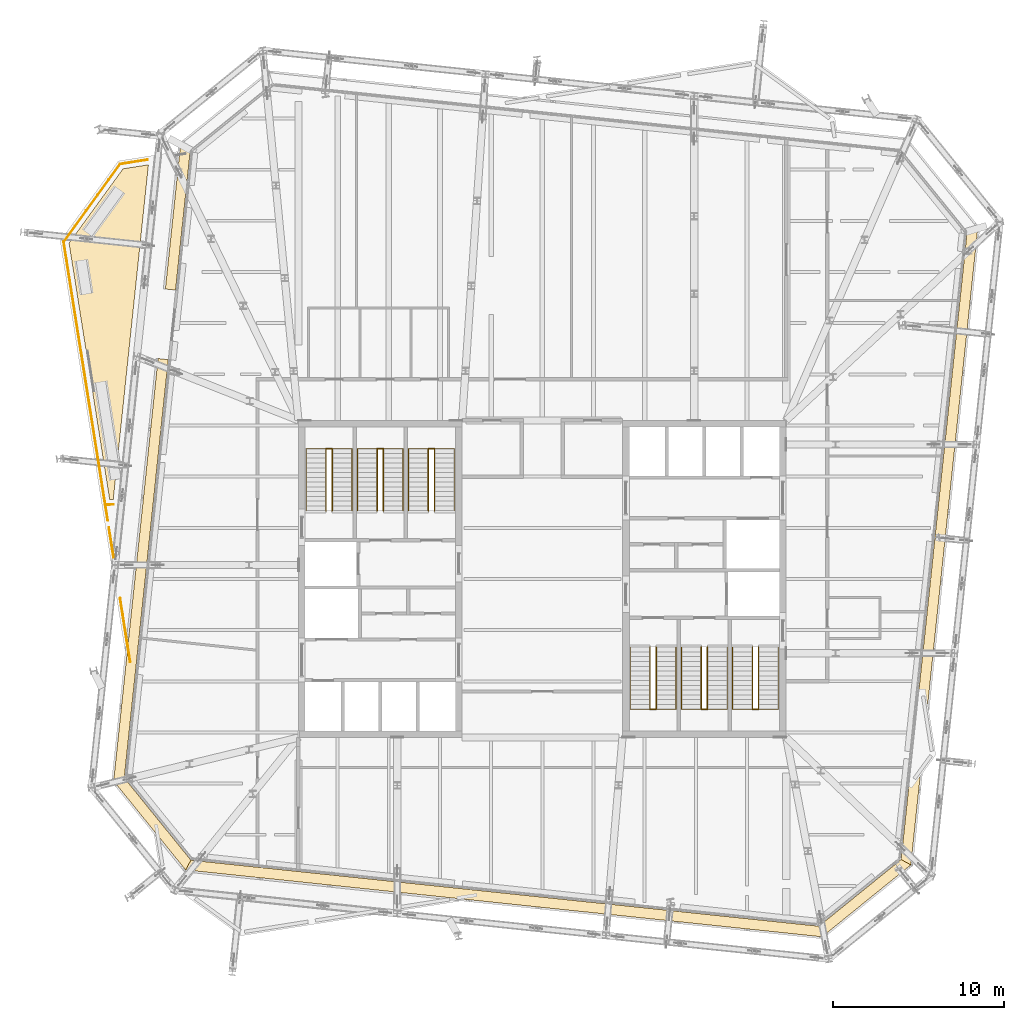
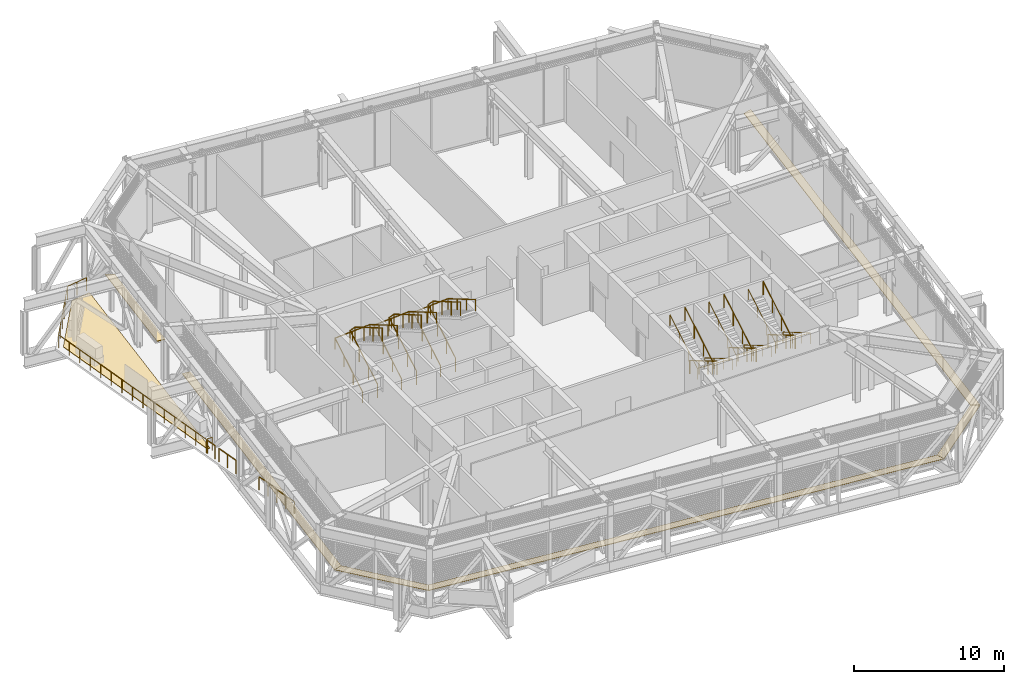
# One storey, part 34 of 36: 16 railings, 7 coverings.
"""IFC4 building model written with IfcOpenShell, lengths in metres."""

import ifcopenshell
import ifcopenshell.guid

model = None  # the IFC model being written
_history = None  # IfcOwnerHistory: only IFC2X3 demands one
_inside = {}  # id of a spatial element -> (the spatial element, [elements in it])
_under = {}  # id of a project, library or spatial element -> (it, [spatial elements below it])
_declared = {}  # id of a project -> (the project, [libraries it declares])
_typed = {}  # id of a type object -> (the type object, [elements of that type])
_made_of = {}  # id of a material, layer set ... -> (it, [elements and type objects made of it])


def new_model(schema):
    """Start an empty IFC model of exactly this schema.

    Asked for "IFC4X3", IfcOpenShell would pick the latest addendum, in which some entities
    have other attributes; the version numbers below select the first issue.
    IFC2X3 requires an IfcOwnerHistory on every rooted entity: one is made here for all.
    """
    global model, _history
    if schema == "IFC4X3":
        model = ifcopenshell.file(schema_version=(4, 3, 0, 0))
    else:
        model = ifcopenshell.file(schema=schema)
    _inside.clear()
    _under.clear()
    _declared.clear()
    _typed.clear()
    _made_of.clear()
    _history = None
    if model.schema == "IFC2X3":
        org = make("IfcOrganization", Name="unknown")
        user = make(
            "IfcPersonAndOrganization",
            ThePerson=make("IfcPerson", FamilyName="unknown"),
            TheOrganization=org,
        )
        app = make(
            "IfcApplication",
            ApplicationDeveloper=org,
            Version="unknown",
            ApplicationFullName="unknown",
            ApplicationIdentifier="unknown",
        )
        _history = make(
            "IfcOwnerHistory",
            OwningUser=user,
            OwningApplication=app,
            ChangeAction="ADDED",
            CreationDate=0,
        )
    return model


def make(cls, **values):
    """One entity of the class cls with the attributes given. An attribute that is None is left unset."""
    return model.create_entity(
        cls, **{name: value for name, value in values.items() if value is not None}
    )


def rooted(cls, **values):
    """An entity with a GlobalId (a new one), such as an element, a storey or a relation."""
    return make(cls, GlobalId=ifcopenshell.guid.new(), OwnerHistory=_history, **values)


def si_unit(unit_type, name, prefix=None):
    """IfcSIUnit, for example si_unit("LENGTHUNIT", "METRE", prefix="MILLI")."""
    return make("IfcSIUnit", UnitType=unit_type, Prefix=prefix, Name=name)


def assignment(units):
    """IfcUnitAssignment: the units of a project."""
    return None if units is None else make("IfcUnitAssignment", Units=units)


def point(xyz):
    """IfcCartesianPoint."""
    return None if xyz is None else make("IfcCartesianPoint", Coordinates=xyz)


def direction(xyz):
    """IfcDirection."""
    return None if xyz is None else make("IfcDirection", DirectionRatios=xyz)


def frame(location, z_axis=None, x_axis=None):
    """IfcAxis2Placement3D, a coordinate frame: its origin and axes. An axis left out is left unset."""
    return make(
        "IfcAxis2Placement3D",
        Location=point(location),
        Axis=direction(z_axis),
        RefDirection=direction(x_axis),
    )


def frame_2d(location, x_axis=None):
    """IfcAxis2Placement2D, a coordinate frame in the plane: its origin and x axis."""
    return make(
        "IfcAxis2Placement2D", Location=point(location), RefDirection=direction(x_axis)
    )


def origin():
    """The frame at (0, 0, 0) with its axes left unset."""
    return frame((0.0, 0.0, 0.0))


def origin_2d():
    """The frame at (0, 0) in the plane with its x axis left unset."""
    return frame_2d((0.0, 0.0))


def place(relative_to, where):
    """IfcLocalPlacement: puts the frame where relative to a parent placement (None: the world)."""
    return make(
        "IfcLocalPlacement", PlacementRelTo=relative_to, RelativePlacement=where
    )


def context(
    kind, dimensions, precision=None, world=None, true_north=None, identifier=None
):
    """IfcGeometricRepresentationContext, for example the 3D "Model" context."""
    return make(
        "IfcGeometricRepresentationContext",
        ContextIdentifier=identifier,
        ContextType=kind,
        CoordinateSpaceDimension=dimensions,
        Precision=precision,
        WorldCoordinateSystem=world,
        TrueNorth=true_north,
    )


def subcontext(parent, identifier, kind, view, scale=None):
    """IfcGeometricRepresentationSubContext, for example "Body" below "Model"."""
    return make(
        "IfcGeometricRepresentationSubContext",
        ContextIdentifier=identifier,
        ContextType=kind,
        ParentContext=parent,
        TargetScale=scale,
        TargetView=view,
    )


def project(units=None, contexts=None):
    """IfcProject with its units and contexts."""
    return rooted(
        "IfcProject",
        Name="project",
        RepresentationContexts=contexts,
        UnitsInContext=assignment(units),
    )


def spatial(cls, under=None, at=None, **own):
    """A site, building, storey or space (cls), placed at a placement, below another one or the project."""
    s = rooted(cls, ObjectPlacement=at, **own)
    if under is not None:
        _under.setdefault(under.id(), (under, []))[1].append(s)
    return s


def polyline(points):
    """IfcPolyline through the points."""
    return make("IfcPolyline", Points=[point(p) for p in points])


def profile(cls, at=None, kind="AREA", **sizes):
    """A parametric profile (cls). Its sizes go by their IFC names, for example OverallWidth=200.0."""
    return make(cls, ProfileType=kind, Position=at, **sizes)


def circle(**sizes):
    """IfcCircleProfileDef."""
    return profile("IfcCircleProfileDef", **sizes)


def outline(outer, holes=None, kind="AREA"):
    """IfcArbitraryClosedProfileDef: a profile drawn as a closed curve; with holes, ...WithVoids."""
    if holes is None:
        return make("IfcArbitraryClosedProfileDef", ProfileType=kind, OuterCurve=outer)
    return make(
        "IfcArbitraryProfileDefWithVoids",
        ProfileType=kind,
        OuterCurve=outer,
        InnerCurves=holes,
    )


def extrude(swept, where, along, depth):
    """IfcExtrudedAreaSolid: the profile swept, set in the frame where, extruded along a direction by depth."""
    return make(
        "IfcExtrudedAreaSolid",
        SweptArea=swept,
        Position=where,
        ExtrudedDirection=direction(along),
        Depth=depth,
    )


def shape(context_of_items, identifier, shape_type, items):
    """IfcShapeRepresentation: the items that make up one representation, for example the "Body"."""
    return make(
        "IfcShapeRepresentation",
        ContextOfItems=context_of_items,
        RepresentationIdentifier=identifier,
        RepresentationType=shape_type,
        Items=items,
    )


def material(Name=None, Category=None):
    """IfcMaterial."""
    return make("IfcMaterial", Name=Name, Category=Category)


def layer(
    of_material, thickness, ventilated=None, Name=None, Category=None, Priority=None
):
    """IfcMaterialLayer: one layer of a wall or slab, of a material (None: an air gap)."""
    return make(
        "IfcMaterialLayer",
        Material=of_material,
        LayerThickness=thickness,
        IsVentilated=ventilated,
        Name=Name,
        Category=Category,
        Priority=Priority,
    )


def layer_set(layers, Name=None):
    """IfcMaterialLayerSet."""
    return make("IfcMaterialLayerSet", MaterialLayers=layers, LayerSetName=Name)


def made_of(thing, what):
    """Note that an element or type object is made of a material, layer set ...; save() writes the relation."""
    if what is not None:
        _made_of.setdefault(what.id(), (what, []))[1].append(thing)
    return thing


def type_object(cls, material=None, **own):
    """A type object (cls), such as IfcWallType, which elements share."""
    return made_of(rooted(cls, **own), material)


def element(
    cls,
    number,
    at=None,
    inside=None,
    cuts=None,
    type_object=None,
    material=None,
    context=None,
    identifier="Body",
    shape_type=None,
    held_by="IfcProductDefinitionShape",
    body=None,
    shapes=None,
    **own,
):
    """One element of the class cls, such as IfcWall. Its Tag is "e" and its number.

    at: its placement. inside: the storey or other place that contains it. cuts: it is an
    opening in that element (IfcRelVoidsElement). A single representation is given by context,
    identifier, shape_type and body (its items); several are given by shapes. held_by: the class
    of the entity that holds the representations. save() writes the other relations.
    """
    e = rooted(cls, Tag="e%d" % number, ObjectPlacement=at, **own)
    if body is not None:
        shapes = [shape(context, identifier, shape_type, body)]
    if shapes is not None:
        e.Representation = make(held_by, Representations=shapes)
    if inside is not None:
        _inside.setdefault(inside.id(), (inside, []))[1].append(e)
    if cuts is not None:
        rooted(
            "IfcRelVoidsElement", RelatingBuildingElement=cuts, RelatedOpeningElement=e
        )
    if type_object is not None:
        _typed.setdefault(type_object.id(), (type_object, []))[1].append(e)
    return made_of(e, material)


def aggregate(whole, parts):
    """IfcRelAggregates: a whole, such as a stair, and the parts it consists of."""
    return rooted("IfcRelAggregates", RelatingObject=whole, RelatedObjects=parts)


def save(model, path):
    """Write the relations noted so far, then the file.

    IfcRelAggregates (storeys below a building ...), IfcRelContainedInSpatialStructure (elements
    in a storey), IfcRelDefinesByType, IfcRelAssociatesMaterial and IfcRelDeclares: one each for
    every whole, place, type object, material and project.
    """
    for whole, parts in _under.values():
        aggregate(whole, parts)
    for where, things in _inside.values():
        rooted(
            "IfcRelContainedInSpatialStructure",
            RelatedElements=things,
            RelatingStructure=where,
        )
    for kind, things in _typed.values():
        rooted("IfcRelDefinesByType", RelatedObjects=things, RelatingType=kind)
    for what, things in _made_of.values():
        rooted("IfcRelAssociatesMaterial", RelatedObjects=things, RelatingMaterial=what)
    for by, libraries in _declared.values():
        rooted("IfcRelDeclares", RelatingContext=by, RelatedDefinitions=libraries)
    model.write(path)


model = new_model("IFC4")

# Units and contexts
model_context = context("Model", 3, precision=1e-05, world=origin(), true_north=direction((0.0, 1.0)))
body_context = subcontext(model_context, "Body", "Model", "MODEL_VIEW")
ifc_project = project(units=[si_unit("LENGTHUNIT", "METRE"), si_unit("AREAUNIT", "SQUARE_METRE"), si_unit("VOLUMEUNIT", "CUBIC_METRE"), si_unit("PLANEANGLEUNIT", "RADIAN"), si_unit("MASSUNIT", "GRAM", prefix="KILO")], contexts=[model_context])

# Site, building, storey
site_placement = place(None, origin())
site = spatial("IfcSite", under=ifc_project, at=site_placement, CompositionType="ELEMENT")
building_placement = place(site_placement, origin())
building = spatial("IfcBuilding", under=site, at=building_placement, Name="Millrace Tower", CompositionType="ELEMENT")
storey_placement = place(building_placement, frame((0.0, 0.0, 271.39990234375)))
storey = spatial("IfcBuildingStorey", under=building, at=storey_placement, Name="L62", CompositionType="ELEMENT", Elevation=271.39990234375)

# Coverings
ifc_material_1 = material(Name="Steel ASTM A36", Category="steel")
ifc_layer_1 = layer(ifc_material_1, 0.050048828125)
ifc_layer_set_1 = layer_set([ifc_layer_1], Name="Steel ASTM A36")
covering_type_1 = type_object("IfcCoveringType", Name="CAVITY CATWALK steel grating", PredefinedType="FLOORING", material=ifc_layer_set_1)
placement = place(storey_placement, frame((0.0, 0.0, 0.10009765625)))
element("IfcCovering", 1, at=placement, inside=storey, type_object=covering_type_1, Name="Cavity catwalk grating E-F01 L62 1", PredefinedType="FLOORING", context=body_context, shape_type="SweptSolid", body=[
    extrude(outline(polyline([(-25.13232421875, -11.8515625), (-20.914306640625, -17.060302734375), (-20.6044921875, -16.489501953125), (-24.509521484375, -11.6669921875), (-25.13232421875, -11.8515625)])), origin(), (0.0, 0.0, 1.0), 0.050048828125),
])
element("IfcCovering", 2, at=placement, inside=storey, type_object=covering_type_1, Name="Cavity catwalk grating E-F02 L62 1", PredefinedType="FLOORING", context=body_context, shape_type="SweptSolid", body=[
    extrude(outline(polyline([(-20.914306640625, -17.060302734375), (16.4013671875, -20.982177734375), (16.217041015625, -20.359619140625), (-20.6044921875, -16.489501953125), (-20.914306640625, -17.060302734375)])), origin(), (0.0, 0.0, 1.0), 0.050048828125),
])
element("IfcCovering", 3, at=placement, inside=storey, type_object=covering_type_1, Name="Cavity catwalk grating E-F03 L62 1", PredefinedType="FLOORING", context=body_context, shape_type="SweptSolid", body=[
    extrude(outline(polyline([(16.4013671875, -20.982177734375), (21.6103515625, -16.764404296875), (21.03955078125, -16.454345703125), (16.217041015625, -20.359619140625), (16.4013671875, -20.982177734375)])), origin(), (0.0, 0.0, 1.0), 0.050048828125),
])
element("IfcCovering", 4, at=placement, inside=storey, type_object=covering_type_1, Name="Cavity catwalk grating E-F04 L62 1", PredefinedType="FLOORING", context=body_context, shape_type="SweptSolid", body=[
    extrude(outline(polyline([(21.6103515625, -16.764404296875), (25.5322265625, 20.551513671875), (24.90966796875, 20.366943359375), (21.03955078125, -16.454345703125), (21.6103515625, -16.764404296875)])), origin(), (0.0, 0.0, 1.0), 0.050048828125),
])
element("IfcCovering", 5, at=placement, inside=storey, type_object=covering_type_1, Name="Cavity catwalk grating E-F08 L62 1", PredefinedType="FLOORING", context=body_context, shape_type="SweptSolid", body=[
    extrude(outline(polyline([(-21.210205078125, 25.46435546875), (-22.099853515625, 17.000244140625), (-21.503173828125, 16.9375), (-20.639404296875, 25.154541015625), (-21.210205078125, 25.46435546875)])), origin(), (0.0, 0.0, 1.0), 0.050048828125),
])
element("IfcCovering", 6, at=placement, inside=storey, type_object=covering_type_1, Name="Cavity catwalk grating E-F08 L62 2", PredefinedType="FLOORING", context=body_context, shape_type="SweptSolid", body=[
    extrude(outline(polyline([(-22.5283203125, 12.922607421875), (-25.13232421875, -11.8515625), (-24.509521484375, -11.6669921875), (-21.931640625, 12.860107421875), (-22.5283203125, 12.922607421875)])), origin(), (0.0, 0.0, 1.0), 0.050048828125),
])
ifc_material_2 = material(Name="Bituminous roofing membrane on rigid insulation")
ifc_layer_2 = layer(ifc_material_2, 0.0400390625)
ifc_layer_set_2 = layer_set([ifc_layer_2], Name="Bituminous roofing membrane on rigid insulation")
covering_type_2 = type_object("IfcCoveringType", Name="Roofing membrane and insulation 40 mm", PredefinedType="ROOFING", material=ifc_layer_set_2)
covering_7_placement = place(storey_placement, origin())
element("IfcCovering", 7, at=covering_7_placement, inside=storey, type_object=covering_type_2, Name="Roofing membrane and insulation T-L61-1", PredefinedType="ROOFING", context=body_context, shape_type="SweptSolid", body=[
    extrude(outline(polyline([(-25.3662109375, 4.659423828125), (-25.156005859375, 4.6650390625), (-23.093994140625, 24.28466796875), (-24.58251953125, 24.048828125), (-27.747314453125, 19.69287109375), (-25.3662109375, 4.659423828125)])), origin(), (0.0, 0.0, 1.0), 0.0400390625),
])

# Railings
ifc_material_3 = material(Name="Stainless steel ASTM A240 type 316", Category="steel")
railing_type_1 = type_object("IfcRailingType", Name="Stair guard 1100", PredefinedType="GUARDRAIL", material=ifc_material_3)
for number, where, name in (
    (8, (-12.679931640625, 4.0, 0.164306640625), "Stair guard 1 W L62"),
    (9, (-9.679931640625, 4.0, 0.164306640625), "Stair guard 2 W L62"),
    (10, (-6.679931640625, 4.0, 0.164306640625), "Stair guard 3 W L62"),
):
    element("IfcRailing", number, at=place(storey_placement, frame(where)), inside=storey, type_object=railing_type_1, Name=name, PredefinedType="GUARDRAIL", context=body_context, shape_type="SweptSolid", body=[
        extrude(circle(Radius=0.02392578125, at=origin_2d()), frame((0.0, 0.0, 1.076171875), z_axis=(0.0, 0.862489892076, 0.506074289079), x_axis=(-1.0, 0.0, 0.0)), (0.0, 0.0, 1.0), 4.22021484375),
        extrude(circle(Radius=0.02392578125, at=origin_2d()), frame((0.0, 3.639892578125, 3.2119140625), z_axis=(0.90966772904, 0.0, 0.415336758239), x_axis=(0.0, 1.0, 0.0)), (0.0, 0.0, 1.0), 0.3955078125),
        extrude(circle(Radius=0.02392578125, at=origin_2d()), frame((0.35986328125, 3.639892578125, 3.3759765625), z_axis=(0.0, -0.862489892076, 0.506074289079), x_axis=(1.0, 0.0, 0.0)), (0.0, 0.0, 1.0), 4.22021484375),
        extrude(circle(Radius=0.02099609375, at=origin_2d()), origin(), (0.0, 0.0, 1.0), 1.052001953125),
        extrude(circle(Radius=0.02099609375, at=origin_2d()), frame((0.0, 1.21337890625, 0.7119140625)), (0.0, 0.0, 1.0), 1.052001953125),
        extrude(circle(Radius=0.02099609375, at=origin_2d()), frame((0.0, 2.426513671875, 1.423828125)), (0.0, 0.0, 1.0), 1.052001953125),
        extrude(circle(Radius=0.02099609375, at=origin_2d()), frame((0.0, 3.639892578125, 2.1357421875)), (0.0, 0.0, 1.0), 1.052001953125),
        extrude(circle(Radius=0.02099609375, at=origin_2d()), frame((0.35986328125, 3.639892578125, 2.300048828125)), (0.0, 0.0, 1.0), 1.052001953125),
        extrude(circle(Radius=0.02099609375, at=origin_2d()), frame((0.35986328125, 2.426513671875, 3.011962890625)), (0.0, 0.0, 1.0), 1.052001953125),
        extrude(circle(Radius=0.02099609375, at=origin_2d()), frame((0.35986328125, 1.21337890625, 3.723876953125)), (0.0, 0.0, 1.0), 1.052001953125),
        extrude(circle(Radius=0.02099609375, at=origin_2d()), frame((0.35986328125, 0.0, 4.435791015625)), (0.0, 0.0, 1.0), 1.052001953125),
    ])
for number, where, name in (
    (11, (12.679931640625, -4.0, 0.164306640625), "Stair guard 1 E L62"),
    (12, (9.679931640625, -4.0, 0.164306640625), "Stair guard 2 E L62"),
    (13, (6.679931640625, -4.0, 0.164306640625), "Stair guard 3 E L62"),
):
    element("IfcRailing", number, at=place(storey_placement, frame(where)), inside=storey, type_object=railing_type_1, Name=name, PredefinedType="GUARDRAIL", context=body_context, shape_type="SweptSolid", body=[
        extrude(circle(Radius=0.02392578125, at=origin_2d()), frame((0.0, 0.0, 1.076171875), z_axis=(0.0, -0.862489892076, 0.506074289079), x_axis=(1.0, 0.0, 0.0)), (0.0, 0.0, 1.0), 4.22021484375),
        extrude(circle(Radius=0.02392578125, at=origin_2d()), frame((0.0, -3.639892578125, 3.2119140625), z_axis=(-0.90966772904, 0.0, 0.415336758239), x_axis=(0.0, -1.0, 0.0)), (0.0, 0.0, 1.0), 0.3955078125),
        extrude(circle(Radius=0.02392578125, at=origin_2d()), frame((-0.35986328125, -3.639892578125, 3.3759765625), z_axis=(0.0, 0.862489892076, 0.506074289079), x_axis=(-1.0, 0.0, 0.0)), (0.0, 0.0, 1.0), 4.22021484375),
        extrude(circle(Radius=0.02099609375, at=origin_2d()), origin(), (0.0, 0.0, 1.0), 1.052001953125),
        extrude(circle(Radius=0.02099609375, at=origin_2d()), frame((0.0, -1.21337890625, 0.7119140625)), (0.0, 0.0, 1.0), 1.052001953125),
        extrude(circle(Radius=0.02099609375, at=origin_2d()), frame((0.0, -2.426513671875, 1.423828125)), (0.0, 0.0, 1.0), 1.052001953125),
        extrude(circle(Radius=0.02099609375, at=origin_2d()), frame((0.0, -3.639892578125, 2.1357421875)), (0.0, 0.0, 1.0), 1.052001953125),
        extrude(circle(Radius=0.02099609375, at=origin_2d()), frame((-0.35986328125, -3.639892578125, 2.300048828125)), (0.0, 0.0, 1.0), 1.052001953125),
        extrude(circle(Radius=0.02099609375, at=origin_2d()), frame((-0.35986328125, -2.426513671875, 3.011962890625)), (0.0, 0.0, 1.0), 1.052001953125),
        extrude(circle(Radius=0.02099609375, at=origin_2d()), frame((-0.35986328125, -1.21337890625, 3.723876953125)), (0.0, 0.0, 1.0), 1.052001953125),
        extrude(circle(Radius=0.02099609375, at=origin_2d()), frame((-0.35986328125, 0.0, 4.435791015625)), (0.0, 0.0, 1.0), 1.052001953125),
    ])
ifc_material_4 = material(Name="Stainless steel ASTM A240 type 316", Category="steel")
railing_type_2 = type_object("IfcRailingType", Name="Stair handrail 900", PredefinedType="HANDRAIL", material=ifc_material_4)
railing_1_placement = place(storey_placement, frame((-13.840087890625, 4.0, 0.164306640625)))
element("IfcRailing", 14, at=railing_1_placement, inside=storey, type_object=railing_type_2, Name="Stair handrail 1 W L62", PredefinedType="HANDRAIL", context=body_context, shape_type="SweptSolid", body=[
    extrude(circle(Radius=0.02392578125, at=origin_2d()), frame((0.0, 0.0, 0.8759765625), z_axis=(0.0, 0.862489892076, 0.506074289079), x_axis=(-1.0, 0.0, 0.0)), (0.0, 0.0, 1.0), 4.22021484375),
    extrude(circle(Radius=0.02392578125, at=origin_2d()), frame((0.0, 3.639892578125, 3.01171875), z_axis=(0.998126163697, 0.0, 0.061189552575), x_axis=(0.0, 1.0, 0.0)), (0.0, 0.0, 1.0), 2.685302734375),
    extrude(circle(Radius=0.02392578125, at=origin_2d()), frame((2.68017578125, 3.639892578125, 3.17578125), z_axis=(0.0, -0.862489892076, 0.506074289079), x_axis=(1.0, 0.0, 0.0)), (0.0, 0.0, 1.0), 4.22021484375),
    extrude(circle(Radius=0.02099609375, at=origin_2d()), origin(), (0.0, 0.0, 1.0), 0.851806640625),
    extrude(circle(Radius=0.02099609375, at=origin_2d()), frame((0.0, 1.21337890625, 0.7119140625)), (0.0, 0.0, 1.0), 0.851806640625),
    extrude(circle(Radius=0.02099609375, at=origin_2d()), frame((0.0, 2.426513671875, 1.423828125)), (0.0, 0.0, 1.0), 0.851806640625),
    extrude(circle(Radius=0.02099609375, at=origin_2d()), frame((0.0, 3.639892578125, 2.1357421875)), (0.0, 0.0, 1.0), 0.851806640625),
    extrude(circle(Radius=0.02099609375, at=origin_2d()), frame((1.340087890625, 3.639892578125, 2.2177734375)), (0.0, 0.0, 1.0), 0.851806640625),
    extrude(circle(Radius=0.02099609375, at=origin_2d()), frame((2.68017578125, 3.639892578125, 2.300048828125)), (0.0, 0.0, 1.0), 0.851806640625),
    extrude(circle(Radius=0.02099609375, at=origin_2d()), frame((2.68017578125, 2.426513671875, 3.011962890625)), (0.0, 0.0, 1.0), 0.851806640625),
    extrude(circle(Radius=0.02099609375, at=origin_2d()), frame((2.68017578125, 1.21337890625, 3.723876953125)), (0.0, 0.0, 1.0), 0.851806640625),
    extrude(circle(Radius=0.02099609375, at=origin_2d()), frame((2.68017578125, 0.0, 4.435791015625)), (0.0, 0.0, 1.0), 0.851806640625),
])
railing_2_placement = place(storey_placement, frame((-10.840087890625, 4.0, 0.164306640625)))
element("IfcRailing", 15, at=railing_2_placement, inside=storey, type_object=railing_type_2, Name="Stair handrail 2 W L62", PredefinedType="HANDRAIL", context=body_context, shape_type="SweptSolid", body=[
    extrude(circle(Radius=0.02392578125, at=origin_2d()), frame((0.0, 0.0, 0.8759765625), z_axis=(0.0, 0.862489892076, 0.506074289079), x_axis=(-1.0, 0.0, 0.0)), (0.0, 0.0, 1.0), 4.22021484375),
    extrude(circle(Radius=0.02392578125, at=origin_2d()), frame((0.0, 3.639892578125, 3.01171875), z_axis=(0.998126163697, 0.0, 0.061189552575), x_axis=(0.0, 1.0, 0.0)), (0.0, 0.0, 1.0), 2.685302734375),
    extrude(circle(Radius=0.02392578125, at=origin_2d()), frame((2.68017578125, 3.639892578125, 3.17578125), z_axis=(0.0, -0.862489892076, 0.506074289079), x_axis=(1.0, 0.0, 0.0)), (0.0, 0.0, 1.0), 4.22021484375),
    extrude(circle(Radius=0.02099609375, at=origin_2d()), origin(), (0.0, 0.0, 1.0), 0.851806640625),
    extrude(circle(Radius=0.02099609375, at=origin_2d()), frame((0.0, 1.21337890625, 0.7119140625)), (0.0, 0.0, 1.0), 0.851806640625),
    extrude(circle(Radius=0.02099609375, at=origin_2d()), frame((0.0, 2.426513671875, 1.423828125)), (0.0, 0.0, 1.0), 0.851806640625),
    extrude(circle(Radius=0.02099609375, at=origin_2d()), frame((0.0, 3.639892578125, 2.1357421875)), (0.0, 0.0, 1.0), 0.851806640625),
    extrude(circle(Radius=0.02099609375, at=origin_2d()), frame((1.340087890625, 3.639892578125, 2.2177734375)), (0.0, 0.0, 1.0), 0.851806640625),
    extrude(circle(Radius=0.02099609375, at=origin_2d()), frame((2.68017578125, 3.639892578125, 2.300048828125)), (0.0, 0.0, 1.0), 0.851806640625),
    extrude(circle(Radius=0.02099609375, at=origin_2d()), frame((2.68017578125, 2.426513671875, 3.011962890625)), (0.0, 0.0, 1.0), 0.851806640625),
    extrude(circle(Radius=0.02099609375, at=origin_2d()), frame((2.68017578125, 1.21337890625, 3.723876953125)), (0.0, 0.0, 1.0), 0.851806640625),
    extrude(circle(Radius=0.02099609375, at=origin_2d()), frame((2.68017578125, 0.0, 4.435791015625)), (0.0, 0.0, 1.0), 0.851806640625),
])
railing_3_placement = place(storey_placement, frame((-7.840087890625, 4.0, 0.164306640625)))
element("IfcRailing", 16, at=railing_3_placement, inside=storey, type_object=railing_type_2, Name="Stair handrail 3 W L62", PredefinedType="HANDRAIL", context=body_context, shape_type="SweptSolid", body=[
    extrude(circle(Radius=0.02392578125, at=origin_2d()), frame((0.0, 0.0, 0.8759765625), z_axis=(0.0, 0.862489892076, 0.506074289079), x_axis=(-1.0, 0.0, 0.0)), (0.0, 0.0, 1.0), 4.22021484375),
    extrude(circle(Radius=0.02392578125, at=origin_2d()), frame((0.0, 3.639892578125, 3.01171875), z_axis=(0.998126163697, 0.0, 0.061189552575), x_axis=(0.0, 1.0, 0.0)), (0.0, 0.0, 1.0), 2.685302734375),
    extrude(circle(Radius=0.02392578125, at=origin_2d()), frame((2.68017578125, 3.639892578125, 3.17578125), z_axis=(0.0, -0.862489892076, 0.506074289079), x_axis=(1.0, 0.0, 0.0)), (0.0, 0.0, 1.0), 4.22021484375),
    extrude(circle(Radius=0.02099609375, at=origin_2d()), origin(), (0.0, 0.0, 1.0), 0.851806640625),
    extrude(circle(Radius=0.02099609375, at=origin_2d()), frame((0.0, 1.21337890625, 0.7119140625)), (0.0, 0.0, 1.0), 0.851806640625),
    extrude(circle(Radius=0.02099609375, at=origin_2d()), frame((0.0, 2.426513671875, 1.423828125)), (0.0, 0.0, 1.0), 0.851806640625),
    extrude(circle(Radius=0.02099609375, at=origin_2d()), frame((0.0, 3.639892578125, 2.1357421875)), (0.0, 0.0, 1.0), 0.851806640625),
    extrude(circle(Radius=0.02099609375, at=origin_2d()), frame((1.340087890625, 3.639892578125, 2.2177734375)), (0.0, 0.0, 1.0), 0.851806640625),
    extrude(circle(Radius=0.02099609375, at=origin_2d()), frame((2.68017578125, 3.639892578125, 2.300048828125)), (0.0, 0.0, 1.0), 0.851806640625),
    extrude(circle(Radius=0.02099609375, at=origin_2d()), frame((2.68017578125, 2.426513671875, 3.011962890625)), (0.0, 0.0, 1.0), 0.851806640625),
    extrude(circle(Radius=0.02099609375, at=origin_2d()), frame((2.68017578125, 1.21337890625, 3.723876953125)), (0.0, 0.0, 1.0), 0.851806640625),
    extrude(circle(Radius=0.02099609375, at=origin_2d()), frame((2.68017578125, 0.0, 4.435791015625)), (0.0, 0.0, 1.0), 0.851806640625),
])
railing_4_placement = place(storey_placement, frame((13.840087890625, -4.0, 0.164306640625)))
element("IfcRailing", 17, at=railing_4_placement, inside=storey, type_object=railing_type_2, Name="Stair handrail 1 E L62", PredefinedType="HANDRAIL", context=body_context, shape_type="SweptSolid", body=[
    extrude(circle(Radius=0.02392578125, at=origin_2d()), frame((0.0, 0.0, 0.8759765625), z_axis=(0.0, -0.862489892076, 0.506074289079), x_axis=(1.0, 0.0, 0.0)), (0.0, 0.0, 1.0), 4.22021484375),
    extrude(circle(Radius=0.02392578125, at=origin_2d()), frame((0.0, -3.639892578125, 3.01171875), z_axis=(-0.998126163697, 0.0, 0.061189552575), x_axis=(0.0, -1.0, 0.0)), (0.0, 0.0, 1.0), 2.685302734375),
    extrude(circle(Radius=0.02392578125, at=origin_2d()), frame((-2.68017578125, -3.639892578125, 3.17578125), z_axis=(0.0, 0.862489892076, 0.506074289079), x_axis=(-1.0, 0.0, 0.0)), (0.0, 0.0, 1.0), 4.22021484375),
    extrude(circle(Radius=0.02099609375, at=origin_2d()), origin(), (0.0, 0.0, 1.0), 0.851806640625),
    extrude(circle(Radius=0.02099609375, at=origin_2d()), frame((0.0, -1.21337890625, 0.7119140625)), (0.0, 0.0, 1.0), 0.851806640625),
    extrude(circle(Radius=0.02099609375, at=origin_2d()), frame((0.0, -2.426513671875, 1.423828125)), (0.0, 0.0, 1.0), 0.851806640625),
    extrude(circle(Radius=0.02099609375, at=origin_2d()), frame((0.0, -3.639892578125, 2.1357421875)), (0.0, 0.0, 1.0), 0.851806640625),
    extrude(circle(Radius=0.02099609375, at=origin_2d()), frame((-1.340087890625, -3.639892578125, 2.2177734375)), (0.0, 0.0, 1.0), 0.851806640625),
    extrude(circle(Radius=0.02099609375, at=origin_2d()), frame((-2.68017578125, -3.639892578125, 2.300048828125)), (0.0, 0.0, 1.0), 0.851806640625),
    extrude(circle(Radius=0.02099609375, at=origin_2d()), frame((-2.68017578125, -2.426513671875, 3.011962890625)), (0.0, 0.0, 1.0), 0.851806640625),
    extrude(circle(Radius=0.02099609375, at=origin_2d()), frame((-2.68017578125, -1.21337890625, 3.723876953125)), (0.0, 0.0, 1.0), 0.851806640625),
    extrude(circle(Radius=0.02099609375, at=origin_2d()), frame((-2.68017578125, 0.0, 4.435791015625)), (0.0, 0.0, 1.0), 0.851806640625),
])
railing_5_placement = place(storey_placement, frame((10.840087890625, -4.0, 0.164306640625)))
element("IfcRailing", 18, at=railing_5_placement, inside=storey, type_object=railing_type_2, Name="Stair handrail 2 E L62", PredefinedType="HANDRAIL", context=body_context, shape_type="SweptSolid", body=[
    extrude(circle(Radius=0.02392578125, at=origin_2d()), frame((0.0, 0.0, 0.8759765625), z_axis=(0.0, -0.862489892076, 0.506074289079), x_axis=(1.0, 0.0, 0.0)), (0.0, 0.0, 1.0), 4.22021484375),
    extrude(circle(Radius=0.02392578125, at=origin_2d()), frame((0.0, -3.639892578125, 3.01171875), z_axis=(-0.998126163697, 0.0, 0.061189552575), x_axis=(0.0, -1.0, 0.0)), (0.0, 0.0, 1.0), 2.685302734375),
    extrude(circle(Radius=0.02392578125, at=origin_2d()), frame((-2.68017578125, -3.639892578125, 3.17578125), z_axis=(0.0, 0.862489892076, 0.506074289079), x_axis=(-1.0, 0.0, 0.0)), (0.0, 0.0, 1.0), 4.22021484375),
    extrude(circle(Radius=0.02099609375, at=origin_2d()), origin(), (0.0, 0.0, 1.0), 0.851806640625),
    extrude(circle(Radius=0.02099609375, at=origin_2d()), frame((0.0, -1.21337890625, 0.7119140625)), (0.0, 0.0, 1.0), 0.851806640625),
    extrude(circle(Radius=0.02099609375, at=origin_2d()), frame((0.0, -2.426513671875, 1.423828125)), (0.0, 0.0, 1.0), 0.851806640625),
    extrude(circle(Radius=0.02099609375, at=origin_2d()), frame((0.0, -3.639892578125, 2.1357421875)), (0.0, 0.0, 1.0), 0.851806640625),
    extrude(circle(Radius=0.02099609375, at=origin_2d()), frame((-1.340087890625, -3.639892578125, 2.2177734375)), (0.0, 0.0, 1.0), 0.851806640625),
    extrude(circle(Radius=0.02099609375, at=origin_2d()), frame((-2.68017578125, -3.639892578125, 2.300048828125)), (0.0, 0.0, 1.0), 0.851806640625),
    extrude(circle(Radius=0.02099609375, at=origin_2d()), frame((-2.68017578125, -2.426513671875, 3.011962890625)), (0.0, 0.0, 1.0), 0.851806640625),
    extrude(circle(Radius=0.02099609375, at=origin_2d()), frame((-2.68017578125, -1.21337890625, 3.723876953125)), (0.0, 0.0, 1.0), 0.851806640625),
    extrude(circle(Radius=0.02099609375, at=origin_2d()), frame((-2.68017578125, 0.0, 4.435791015625)), (0.0, 0.0, 1.0), 0.851806640625),
])
railing_6_placement = place(storey_placement, frame((7.840087890625, -4.0, 0.164306640625)))
element("IfcRailing", 19, at=railing_6_placement, inside=storey, type_object=railing_type_2, Name="Stair handrail 3 E L62", PredefinedType="HANDRAIL", context=body_context, shape_type="SweptSolid", body=[
    extrude(circle(Radius=0.02392578125, at=origin_2d()), frame((0.0, 0.0, 0.8759765625), z_axis=(0.0, -0.862489892076, 0.506074289079), x_axis=(1.0, 0.0, 0.0)), (0.0, 0.0, 1.0), 4.22021484375),
    extrude(circle(Radius=0.02392578125, at=origin_2d()), frame((0.0, -3.639892578125, 3.01171875), z_axis=(-0.998126163697, 0.0, 0.061189552575), x_axis=(0.0, -1.0, 0.0)), (0.0, 0.0, 1.0), 2.685302734375),
    extrude(circle(Radius=0.02392578125, at=origin_2d()), frame((-2.68017578125, -3.639892578125, 3.17578125), z_axis=(0.0, 0.862489892076, 0.506074289079), x_axis=(-1.0, 0.0, 0.0)), (0.0, 0.0, 1.0), 4.22021484375),
    extrude(circle(Radius=0.02099609375, at=origin_2d()), origin(), (0.0, 0.0, 1.0), 0.851806640625),
    extrude(circle(Radius=0.02099609375, at=origin_2d()), frame((0.0, -1.21337890625, 0.7119140625)), (0.0, 0.0, 1.0), 0.851806640625),
    extrude(circle(Radius=0.02099609375, at=origin_2d()), frame((0.0, -2.426513671875, 1.423828125)), (0.0, 0.0, 1.0), 0.851806640625),
    extrude(circle(Radius=0.02099609375, at=origin_2d()), frame((0.0, -3.639892578125, 2.1357421875)), (0.0, 0.0, 1.0), 0.851806640625),
    extrude(circle(Radius=0.02099609375, at=origin_2d()), frame((-1.340087890625, -3.639892578125, 2.2177734375)), (0.0, 0.0, 1.0), 0.851806640625),
    extrude(circle(Radius=0.02099609375, at=origin_2d()), frame((-2.68017578125, -3.639892578125, 2.300048828125)), (0.0, 0.0, 1.0), 0.851806640625),
    extrude(circle(Radius=0.02099609375, at=origin_2d()), frame((-2.68017578125, -2.426513671875, 3.011962890625)), (0.0, 0.0, 1.0), 0.851806640625),
    extrude(circle(Radius=0.02099609375, at=origin_2d()), frame((-2.68017578125, -1.21337890625, 3.723876953125)), (0.0, 0.0, 1.0), 0.851806640625),
    extrude(circle(Radius=0.02099609375, at=origin_2d()), frame((-2.68017578125, 0.0, 4.435791015625)), (0.0, 0.0, 1.0), 0.851806640625),
])
ifc_material_5 = material(Name="Stainless steel ASTM A240 type 316", Category="steel")
railing_type_3 = type_object("IfcRailingType", Name="Terrace guard 1100", PredefinedType="GUARDRAIL", material=ifc_material_5)
railing_7_placement = place(storey_placement, frame((-23.140869140625, 24.580810546875, 0.0)))
element("IfcRailing", 20, at=railing_7_placement, inside=storey, type_object=railing_type_3, Name="Terrace guard T-L61-1 1", PredefinedType="GUARDRAIL", context=body_context, shape_type="SweptSolid", body=[
    extrude(circle(Radius=0.02392578125, at=origin_2d()), frame((0.0, 0.0, 1.076171875), z_axis=(-0.987696138675, -0.156385221957, 0.0), x_axis=(0.156385221957, -0.987696138675, 0.0)), (0.0, 0.0, 1.0), 1.63134765625),
    extrude(circle(Radius=0.02392578125, at=origin_2d()), frame((-1.611328125, -0.255126953125, 1.076171875), z_axis=(-0.587787627194, -0.809015268902, 0.0), x_axis=(0.809015268902, -0.587787627194, 0.0)), (0.0, 0.0, 1.0), 5.632568359375),
    extrude(circle(Radius=0.02392578125, at=origin_2d()), frame((-4.922119140625, -4.81201171875, 1.076171875), z_axis=(0.156434051522, -0.98768840609, 0.0), x_axis=(0.98768840609, 0.156434051522, 0.0)), (0.0, 0.0, 1.0), 15.608154296875),
    extrude(circle(Radius=0.02392578125, at=origin_2d()), frame((-2.48046875, -20.22802734375, 1.076171875), z_axis=(0.999667351381, 0.025791211336, 0.0), x_axis=(-0.025791211336, 0.999667351381, 0.0)), (0.0, 0.0, 1.0), 0.473388671875),
    extrude(circle(Radius=0.02099609375, at=origin_2d()), origin(), (0.0, 0.0, 1.0), 1.052001953125),
    extrude(circle(Radius=0.02099609375, at=origin_2d()), frame((-0.8056640625, -0.12744140625, 0.0)), (0.0, 0.0, 1.0), 1.052001953125),
    extrude(circle(Radius=0.02099609375, at=origin_2d()), frame((-1.611328125, -0.255126953125, 0.0)), (0.0, 0.0, 1.0), 1.052001953125),
    extrude(circle(Radius=0.02099609375, at=origin_2d()), frame((-2.2734375, -1.16650390625, 0.0)), (0.0, 0.0, 1.0), 1.052001953125),
    extrude(circle(Radius=0.02099609375, at=origin_2d()), frame((-2.935546875, -2.077880859375, 0.0)), (0.0, 0.0, 1.0), 1.052001953125),
    extrude(circle(Radius=0.02099609375, at=origin_2d()), frame((-3.597900390625, -2.9892578125, 0.0)), (0.0, 0.0, 1.0), 1.052001953125),
    extrude(circle(Radius=0.02099609375, at=origin_2d()), frame((-4.260009765625, -3.900634765625, 0.0)), (0.0, 0.0, 1.0), 1.052001953125),
    extrude(circle(Radius=0.02099609375, at=origin_2d()), frame((-4.922119140625, -4.81201171875, 0.0)), (0.0, 0.0, 1.0), 1.052001953125),
    extrude(circle(Radius=0.02099609375, at=origin_2d()), frame((-4.747802734375, -5.9130859375, 0.0)), (0.0, 0.0, 1.0), 1.052001953125),
    extrude(circle(Radius=0.02099609375, at=origin_2d()), frame((-4.5732421875, -7.014404296875, 0.0)), (0.0, 0.0, 1.0), 1.052001953125),
    extrude(circle(Radius=0.02099609375, at=origin_2d()), frame((-4.39892578125, -8.115478515625, 0.0)), (0.0, 0.0, 1.0), 1.052001953125),
    extrude(circle(Radius=0.02099609375, at=origin_2d()), frame((-4.224609375, -9.216552734375, 0.0)), (0.0, 0.0, 1.0), 1.052001953125),
    extrude(circle(Radius=0.02099609375, at=origin_2d()), frame((-4.050048828125, -10.317626953125, 0.0)), (0.0, 0.0, 1.0), 1.052001953125),
    extrude(circle(Radius=0.02099609375, at=origin_2d()), frame((-3.875732421875, -11.4189453125, 0.0)), (0.0, 0.0, 1.0), 1.052001953125),
    extrude(circle(Radius=0.02099609375, at=origin_2d()), frame((-3.701171875, -12.52001953125, 0.0)), (0.0, 0.0, 1.0), 1.052001953125),
    extrude(circle(Radius=0.02099609375, at=origin_2d()), frame((-3.52685546875, -13.62109375, 0.0)), (0.0, 0.0, 1.0), 1.052001953125),
    extrude(circle(Radius=0.02099609375, at=origin_2d()), frame((-3.3525390625, -14.722412109375, 0.0)), (0.0, 0.0, 1.0), 1.052001953125),
    extrude(circle(Radius=0.02099609375, at=origin_2d()), frame((-3.177978515625, -15.823486328125, 0.0)), (0.0, 0.0, 1.0), 1.052001953125),
    extrude(circle(Radius=0.02099609375, at=origin_2d()), frame((-3.003662109375, -16.924560546875, 0.0)), (0.0, 0.0, 1.0), 1.052001953125),
    extrude(circle(Radius=0.02099609375, at=origin_2d()), frame((-2.829345703125, -18.025634765625, 0.0)), (0.0, 0.0, 1.0), 1.052001953125),
    extrude(circle(Radius=0.02099609375, at=origin_2d()), frame((-2.65478515625, -19.126953125, 0.0)), (0.0, 0.0, 1.0), 1.052001953125),
    extrude(circle(Radius=0.02099609375, at=origin_2d()), frame((-2.48046875, -20.22802734375, 0.0)), (0.0, 0.0, 1.0), 1.052001953125),
    extrude(circle(Radius=0.02099609375, at=origin_2d()), frame((-2.00732421875, -20.2158203125, 0.0)), (0.0, 0.0, 1.0), 1.052001953125),
])
railing_8_placement = place(storey_placement, frame((-25.4765625, 3.4384765625, 0.0)))
element("IfcRailing", 21, at=railing_8_placement, inside=storey, type_object=railing_type_3, Name="Terrace guard L61 edge 1.1", PredefinedType="GUARDRAIL", context=body_context, shape_type="SweptSolid", body=[
    extrude(circle(Radius=0.02392578125, at=origin_2d()), frame((0.0, 0.0, 1.076171875), z_axis=(-0.156281752571, 0.987712515772, 0.0), x_axis=(-0.987712515772, -0.156281752571, 0.0)), (0.0, 0.0, 1.0), 0.824951171875),
    extrude(circle(Radius=0.02099609375, at=origin_2d()), origin(), (0.0, 0.0, 1.0), 1.052001953125),
    extrude(circle(Radius=0.02099609375, at=origin_2d()), frame((-0.12890625, 0.814697265625, 0.0)), (0.0, 0.0, 1.0), 1.052001953125),
])
railing_9_placement = place(storey_placement, frame((-25.132080078125, 1.26416015625, 0.0)))
element("IfcRailing", 22, at=railing_9_placement, inside=storey, type_object=railing_type_3, Name="Terrace guard L61 edge 1.2", PredefinedType="GUARDRAIL", context=body_context, shape_type="SweptSolid", body=[
    extrude(circle(Radius=0.02392578125, at=origin_2d()), frame((0.0, 0.0, 1.076171875), z_axis=(-0.156451395069, 0.987685658993, 0.0), x_axis=(-0.987685658993, -0.156451395069, 0.0)), (0.0, 0.0, 1.0), 1.76953125),
    extrude(circle(Radius=0.02099609375, at=origin_2d()), origin(), (0.0, 0.0, 1.0), 1.052001953125),
    extrude(circle(Radius=0.02099609375, at=origin_2d()), frame((-0.138427734375, 0.8740234375, 0.0)), (0.0, 0.0, 1.0), 1.052001953125),
    extrude(circle(Radius=0.02099609375, at=origin_2d()), frame((-0.27685546875, 1.747802734375, 0.0)), (0.0, 0.0, 1.0), 1.052001953125),
])
railing_10_placement = place(storey_placement, frame((-24.162353515625, -4.858154296875, 0.0)))
element("IfcRailing", 23, at=railing_10_placement, inside=storey, type_object=railing_type_3, Name="Terrace guard L61 edge 1.3", PredefinedType="GUARDRAIL", context=body_context, shape_type="SweptSolid", body=[
    extrude(circle(Radius=0.02392578125, at=origin_2d()), frame((0.0, 0.0, 1.076171875), z_axis=(-0.156471604246, 0.987682457607, 0.0), x_axis=(-0.987682457607, -0.156471604246, 0.0)), (0.0, 0.0, 1.0), 3.76806640625),
    extrude(circle(Radius=0.02099609375, at=origin_2d()), origin(), (0.0, 0.0, 1.0), 1.052001953125),
    extrude(circle(Radius=0.02099609375, at=origin_2d()), frame((-0.1474609375, 0.930419921875, 0.0)), (0.0, 0.0, 1.0), 1.052001953125),
    extrude(circle(Radius=0.02099609375, at=origin_2d()), frame((-0.294921875, 1.86083984375, 0.0)), (0.0, 0.0, 1.0), 1.052001953125),
    extrude(circle(Radius=0.02099609375, at=origin_2d()), frame((-0.442138671875, 2.791259765625, 0.0)), (0.0, 0.0, 1.0), 1.052001953125),
    extrude(circle(Radius=0.02099609375, at=origin_2d()), frame((-0.589599609375, 3.7216796875, 0.0)), (0.0, 0.0, 1.0), 1.052001953125),
])

save(model, "model.ifc")
